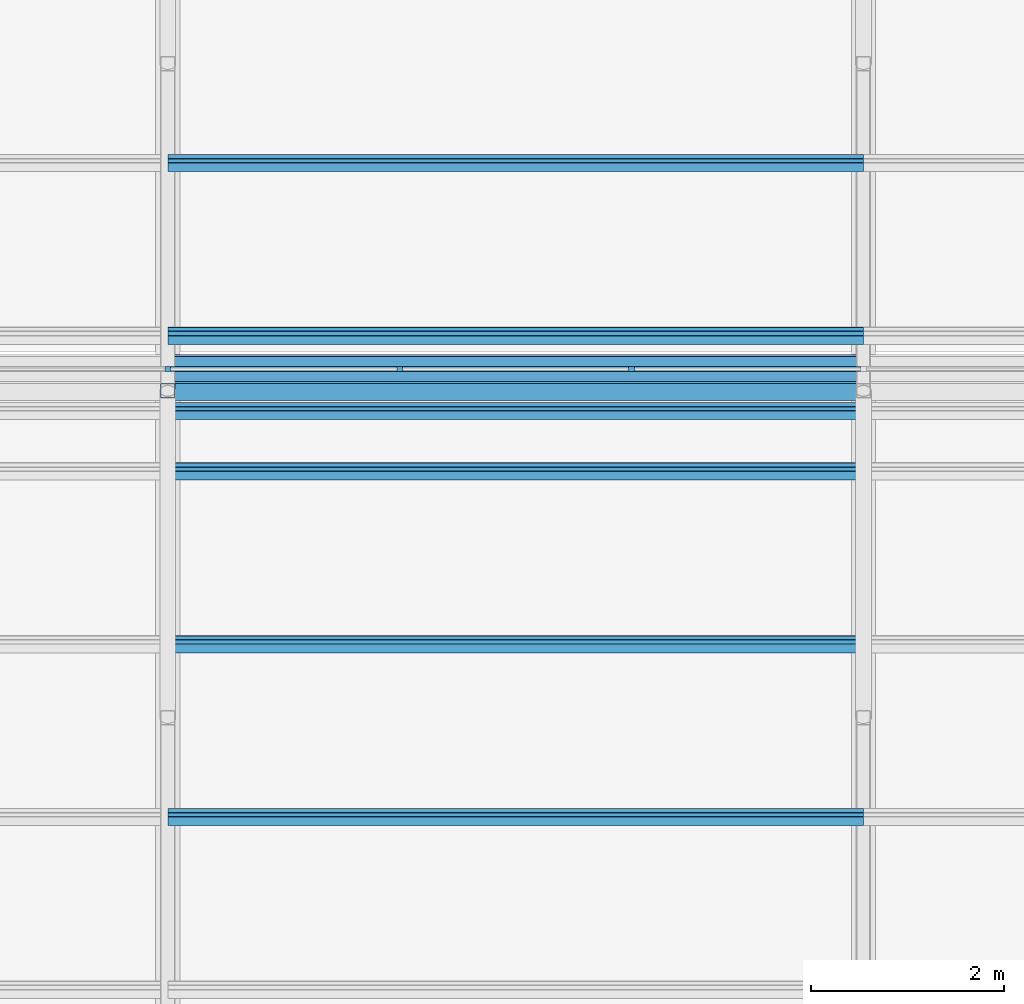
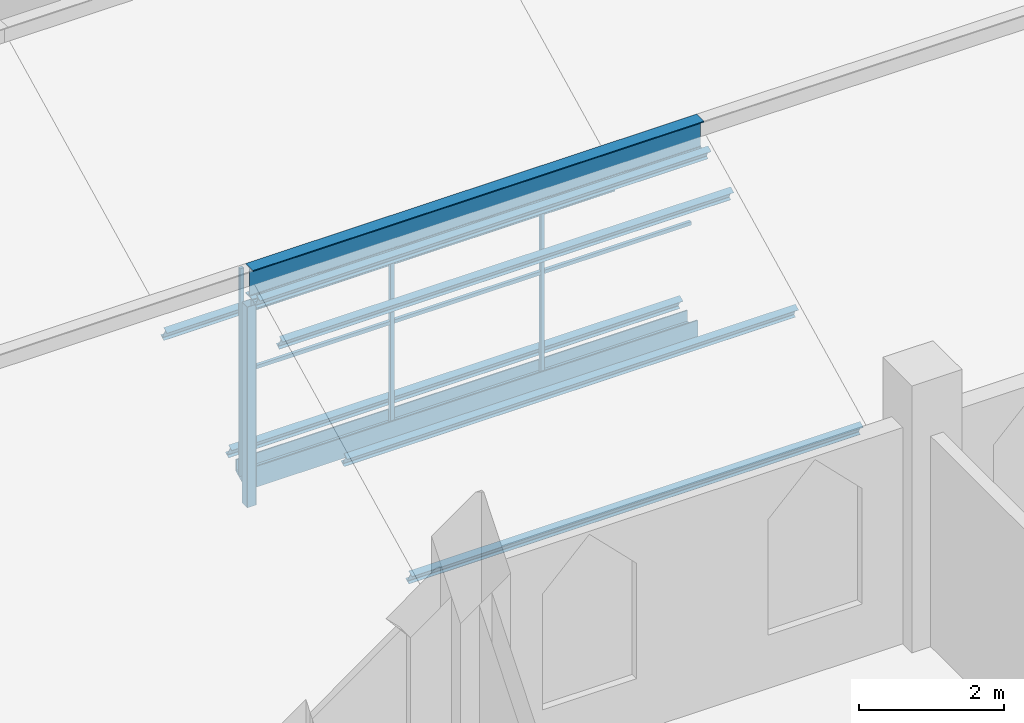
# One storey, part 4 of 29: 15 members, 1 element without a shape of its own.
"""IFC4 building model written with IfcOpenShell, lengths in metres."""

from ifc_helpers import new_model, si_unit, direction, frame, origin, origin_2d, place, context, subcontext, project, spatial, polyline, rectangle, hollow_rectangle, i_section, outline, extrude, material, material_profile, profile_set, type_object, element, aggregate, save


model = new_model("IFC4")

# Units and contexts
model_context = context("Model", 3, precision=1e-05, world=origin(), true_north=direction((0.0, 1.0)))
body_context = subcontext(model_context, "Body", "Model", "MODEL_VIEW")
ifc_project = project(units=[si_unit("LENGTHUNIT", "METRE"), si_unit("AREAUNIT", "SQUARE_METRE"), si_unit("VOLUMEUNIT", "CUBIC_METRE"), si_unit("PLANEANGLEUNIT", "RADIAN"), si_unit("MASSUNIT", "GRAM", prefix="KILO")], contexts=[model_context])

# Site, building, storey
site_placement = place(None, origin())
site = spatial("IfcSite", under=ifc_project, at=site_placement, CompositionType="ELEMENT")
building_placement = place(site_placement, origin())
building = spatial("IfcBuilding", under=site, at=building_placement, Name="Silangan Lancet Faculty of Sciences", CompositionType="ELEMENT")
storey_placement = place(building_placement, frame((0.0, 0.0, 40.800048828125)))
storey = spatial("IfcBuildingStorey", under=building, at=storey_placement, Name="L08", CompositionType="ELEMENT", Elevation=40.800048828125)

# Member
ifc_material_1 = material(Name="Steel SS400", Category="steel")
ifc_material_profile_1 = material_profile(ifc_material_1, i_section(OverallWidth=0.199951171875, OverallDepth=0.5, WebThickness=0.010009765625, FlangeThickness=0.01611328125, FilletRadius=0.02001953125, at=origin_2d()), Name="H 500x200x10x16")
ifc_profile_set_1 = profile_set([ifc_material_profile_1], Name="Steel SS400")
member_type_1 = type_object("IfcMemberType", Name="Exposed ridge beam H 500x200x10x16", PredefinedType="MEMBER", material=ifc_profile_set_1)
member_1_placement = place(storey_placement, frame((7.800048828125, 28.77001953125, 3.836669921875), z_axis=(1.0, 0.0, 0.0), x_axis=(0.0, 1.0, 0.0)))
element("IfcMember", 1, at=member_1_placement, inside=storey, type_object=member_type_1, Name="Exposed ridge beam ATRIUM-1-2", PredefinedType="MEMBER", context=body_context, shape_type="SweptSolid", body=[
    extrude(i_section(OverallWidth=0.199951171875, OverallDepth=0.5, WebThickness=0.010009765625, FlangeThickness=0.01611328125, FilletRadius=0.02001953125, at=origin_2d()), origin(), (0.0, 0.0, 1.0), 7.199951171875),
])

# Curtain wall, members
ifc_material_2 = material(Name="Aluminium and laminated glass", Category="aluminium")
curtain_wall_type = type_object("IfcCurtainWallType", Name="North light glazing system", PredefinedType="NOTDEFINED", material=ifc_material_2)
curtain_wall_placement = place(storey_placement, origin())
curtain_wall = element("IfcCurtainWall", 2, at=curtain_wall_placement, inside=storey, type_object=curtain_wall_type, Name="North light glazing ATRIUM-1-2", PredefinedType="NOTDEFINED")
ifc_material_3 = material(Name="Aluminium 6063-T6", Category="aluminium")
ifc_material_profile_2 = material_profile(ifc_material_3, rectangle(XDim=0.06005859375, YDim=0.050048828125, at=origin_2d()), Name="AL 60x50")
ifc_profile_set_2 = profile_set([ifc_material_profile_2], Name="Aluminium 6063-T6")
member_type_2 = type_object("IfcMemberType", Name="North light mullion 60x50", PredefinedType="MULLION", material=ifc_profile_set_2)
member_2_placement = place(storey_placement, frame((7.800048828125, 28.9951171875, 0.442138671875), z_axis=(0.0, 0.0, 1.0), x_axis=(1.0, 0.0, 0.0)))
member_2 = element("IfcMember", 3, at=member_2_placement, type_object=member_type_2, Name="North light mullion ATRIUM-1-2 1", PredefinedType="MULLION", context=body_context, shape_type="SweptSolid", body=[
    extrude(rectangle(XDim=0.06005859375, YDim=0.050048828125, at=origin_2d()), origin(), (0.0, 0.0, 1.0), 3.502197265625),
])
member_3_placement = place(storey_placement, frame((10.199951171875, 28.9951171875, 0.442138671875), z_axis=(0.0, 0.0, 1.0), x_axis=(1.0, 0.0, 0.0)))
member_3 = element("IfcMember", 4, at=member_3_placement, type_object=member_type_2, Name="North light mullion ATRIUM-1-2 2", PredefinedType="MULLION", context=body_context, shape_type="SweptSolid", body=[
    extrude(rectangle(XDim=0.06005859375, YDim=0.050048828125, at=origin_2d()), origin(), (0.0, 0.0, 1.0), 3.502197265625),
])
member_4_placement = place(storey_placement, frame((12.60009765625, 28.9951171875, 0.442138671875), z_axis=(0.0, 0.0, 1.0), x_axis=(1.0, 0.0, 0.0)))
member_4 = element("IfcMember", 5, at=member_4_placement, type_object=member_type_2, Name="North light mullion ATRIUM-1-2 3", PredefinedType="MULLION", context=body_context, shape_type="SweptSolid", body=[
    extrude(rectangle(XDim=0.06005859375, YDim=0.050048828125, at=origin_2d()), origin(), (0.0, 0.0, 1.0), 3.502197265625),
])
ifc_material_4 = material(Name="Aluminium 6063-T6", Category="aluminium")
ifc_material_profile_3 = material_profile(ifc_material_4, rectangle(XDim=0.050048828125, YDim=0.06005859375, at=origin_2d()), Name="AL 50x60")
ifc_profile_set_3 = profile_set([ifc_material_profile_3], Name="Aluminium 6063-T6")
member_type_3 = type_object("IfcMemberType", Name="North light transom 50x60", PredefinedType="USERDEFINED", material=ifc_profile_set_3)
member_5_placement = place(storey_placement, frame((7.830078125, 28.9951171875, 2.193359375), z_axis=(1.0, 0.0, 0.0), x_axis=(0.0, 1.0, 0.0)))
member_5 = element("IfcMember", 6, at=member_5_placement, type_object=member_type_3, Name="North light transom ATRIUM-1-2 1", ObjectType="TRANSOM", PredefinedType="USERDEFINED", context=body_context, shape_type="SweptSolid", body=[
    extrude(rectangle(XDim=0.050048828125, YDim=0.06005859375, at=origin_2d()), origin(), (0.0, 0.0, 1.0), 2.33984375),
])
member_6_placement = place(storey_placement, frame((10.22998046875, 28.9951171875, 2.193359375), z_axis=(1.0, 0.0, 0.0), x_axis=(0.0, 1.0, 0.0)))
member_6 = element("IfcMember", 7, at=member_6_placement, type_object=member_type_3, Name="North light transom ATRIUM-1-2 2", ObjectType="TRANSOM", PredefinedType="USERDEFINED", context=body_context, shape_type="SweptSolid", body=[
    extrude(rectangle(XDim=0.050048828125, YDim=0.06005859375, at=origin_2d()), origin(), (0.0, 0.0, 1.0), 2.340087890625),
])
member_7_placement = place(storey_placement, frame((12.6298828125, 28.9951171875, 2.193359375), z_axis=(1.0, 0.0, 0.0), x_axis=(0.0, 1.0, 0.0)))
member_7 = element("IfcMember", 8, at=member_7_placement, type_object=member_type_3, Name="North light transom ATRIUM-1-2 3", ObjectType="TRANSOM", PredefinedType="USERDEFINED", context=body_context, shape_type="SweptSolid", body=[
    extrude(rectangle(XDim=0.050048828125, YDim=0.06005859375, at=origin_2d()), origin(), (0.0, 0.0, 1.0), 2.340087890625),
])
aggregate(curtain_wall, [member_2, member_3, member_4, member_5, member_6, member_7])

# Members
ifc_material_5 = material(Name="Steel SS400", Category="steel")
ifc_material_profile_4 = material_profile(ifc_material_5, i_section(OverallWidth=0.10009765625, OverallDepth=0.199951171875, WebThickness=0.005615234375, FlangeThickness=0.008056640625, FilletRadius=0.008056640625, at=origin_2d()), Name="H 200x100x5.5x8")
ifc_profile_set_4 = profile_set([ifc_material_profile_4], Name="Steel SS400")
member_type_4 = type_object("IfcMemberType", Name="Sheeting purlin H 200x100x5.5x8", PredefinedType="PURLIN", material=ifc_profile_set_4)
for number, where, z_axis, x_axis, name in (
    (9, (7.800048828125, 24.359130859375, 1.526123046875), (1.0, 0.0, 0.0), (0.0, 0.894427192382, 0.447213592736), "Sheeting purlin ATRIUM-1-2 2"),
    (10, (7.800048828125, 26.14794921875, 2.42041015625), (1.0, 0.0, 0.0), (0.0, 0.894427192382, 0.447213592736), "Sheeting purlin ATRIUM-1-2 3"),
    (11, (7.800048828125, 27.936767578125, 3.31494140625), (1.0, 0.0, 0.0), (0.0, 0.894427192382, 0.447213592736), "Sheeting purlin ATRIUM-1-2 4"),
    (12, (7.800048828125, 28.56201171875, 3.62744140625), (1.0, 0.0, 0.0), (0.0, 0.894427192382, 0.447213592736), "Sheeting purlin ATRIUM-1-2 5"),
    (13, (7.800048828125, 29.340087890625, 0.631591796875), (1.0, 0.0, 0.0), (0.0, 0.894427192382, 0.447213592736), "Sheeting purlin ATRIUM-2-2 1"),
    (14, (7.800048828125, 31.129150390625, 1.526123046875), (1.0, 0.0, 0.0), (0.0, 0.894427192382, 0.447213592736), "Sheeting purlin ATRIUM-2-2 2"),
):
    element("IfcMember", number, at=place(storey_placement, frame(where, z_axis=z_axis, x_axis=x_axis)), inside=storey, type_object=member_type_4, Name=name, PredefinedType="PURLIN", context=body_context, shape_type="SweptSolid", body=[
        extrude(i_section(OverallWidth=0.10009765625, OverallDepth=0.199951171875, WebThickness=0.005615234375, FlangeThickness=0.008056640625, FilletRadius=0.008056640625, at=origin_2d()), origin(), (0.0, 0.0, 1.0), 7.199951171875),
    ])
ifc_material_6 = material(Name="Steel STKR400", Category="steel")
ifc_material_profile_5 = material_profile(ifc_material_6, hollow_rectangle(XDim=0.14990234375, YDim=0.14990234375, WallThickness=0.006103515625, InnerFilletRadius=0.006103515625, OuterFilletRadius=0.011962890625, at=origin_2d()), Name="SHS 150x150x6.0")
ifc_profile_set_5 = profile_set([ifc_material_profile_5], Name="Steel STKR400")
member_type_5 = type_object("IfcMemberType", Name="Truss post SHS 150x150x6.0", PredefinedType="POST", material=ifc_profile_set_5)
member_8_placement = place(storey_placement, frame((7.800048828125, 28.77001953125, 0.094970703125), z_axis=(0.0, 0.0, 1.0), x_axis=(1.0, 0.0, 0.0)))
element("IfcMember", 15, at=member_8_placement, inside=storey, type_object=member_type_5, Name="Truss 2 riser post 1", PredefinedType="POST", context=body_context, shape_type="SweptSolid", body=[
    extrude(hollow_rectangle(XDim=0.14990234375, YDim=0.14990234375, WallThickness=0.006103515625, InnerFilletRadius=0.006103515625, OuterFilletRadius=0.011962890625, at=origin_2d()), origin(), (0.0, 0.0, 1.0), 3.385009765625),
])
ifc_material_7 = material(Name="Stainless steel", Category="steel")
ifc_material_profile_6 = material_profile(ifc_material_7, outline(polyline([(-0.14990234375, 0.0), (0.14990234375, 0.14990234375), (0.14990234375, 0.35009765625), (0.1298828125, 0.35009765625), (0.1298828125, 0.169921875), (-0.1298828125, 0.169921875), (-0.1298828125, 0.35009765625), (-0.14990234375, 0.35009765625), (-0.14990234375, 0.0)])), Name="valley gutter")
ifc_profile_set_6 = profile_set([ifc_material_profile_6], Name="Stainless steel")
member_type_6 = type_object("IfcMemberType", Name="Valley gutter 300 wide", PredefinedType="USERDEFINED", material=ifc_profile_set_6)
member_9_placement = place(storey_placement, frame((7.800048828125, 28.9951171875, 0.272216796875), z_axis=(1.0, 0.0, 0.0), x_axis=(0.0, 1.0, 0.0)))
element("IfcMember", 16, at=member_9_placement, inside=storey, type_object=member_type_6, Name="Valley gutter ATRIUM-2-2", ObjectType="GUTTER", PredefinedType="USERDEFINED", context=body_context, shape_type="SweptSolid", body=[
    extrude(outline(polyline([(-0.14990234375, 0.0), (0.14990234375, 0.14990234375), (0.14990234375, 0.35009765625), (0.1298828125, 0.35009765625), (0.1298828125, 0.169921875), (-0.1298828125, 0.169921875), (-0.1298828125, 0.35009765625), (-0.14990234375, 0.35009765625), (-0.14990234375, 0.0)])), origin(), (0.0, 0.0, 1.0), 7.199951171875),
])

save(model, "model.ifc")
